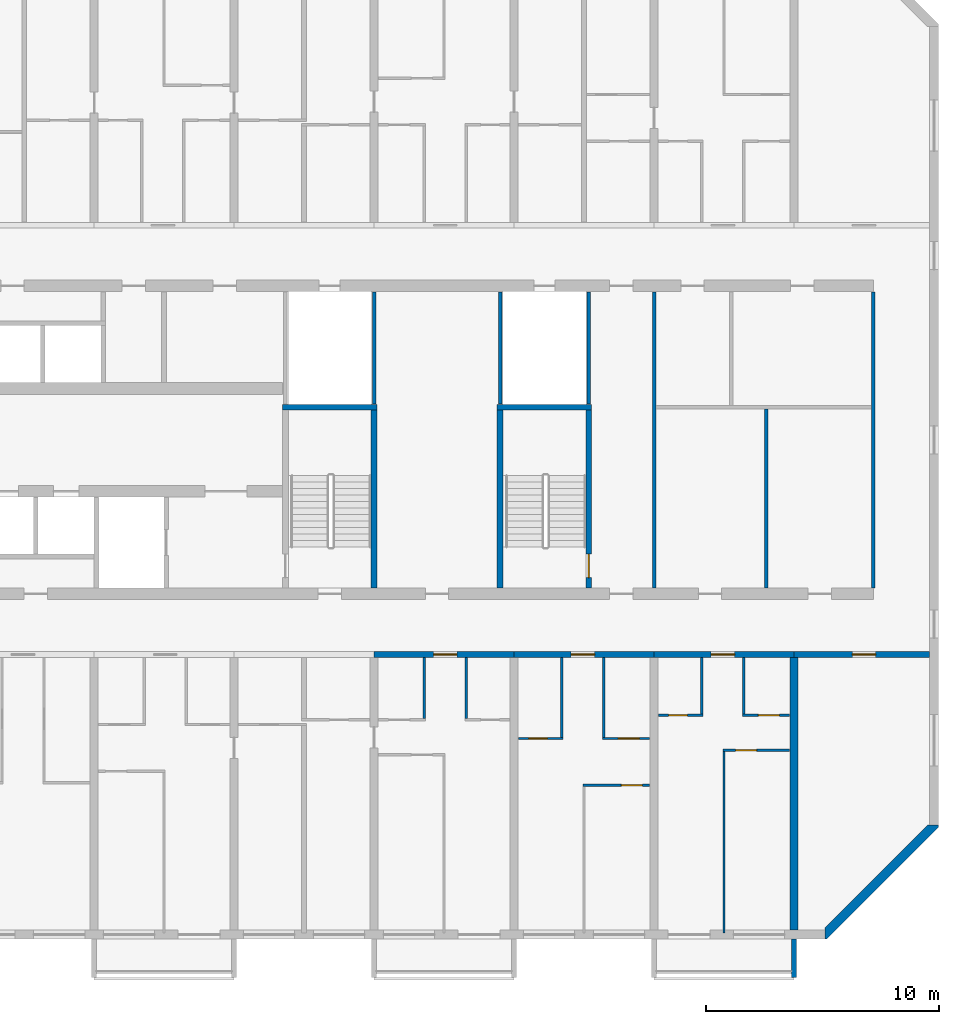
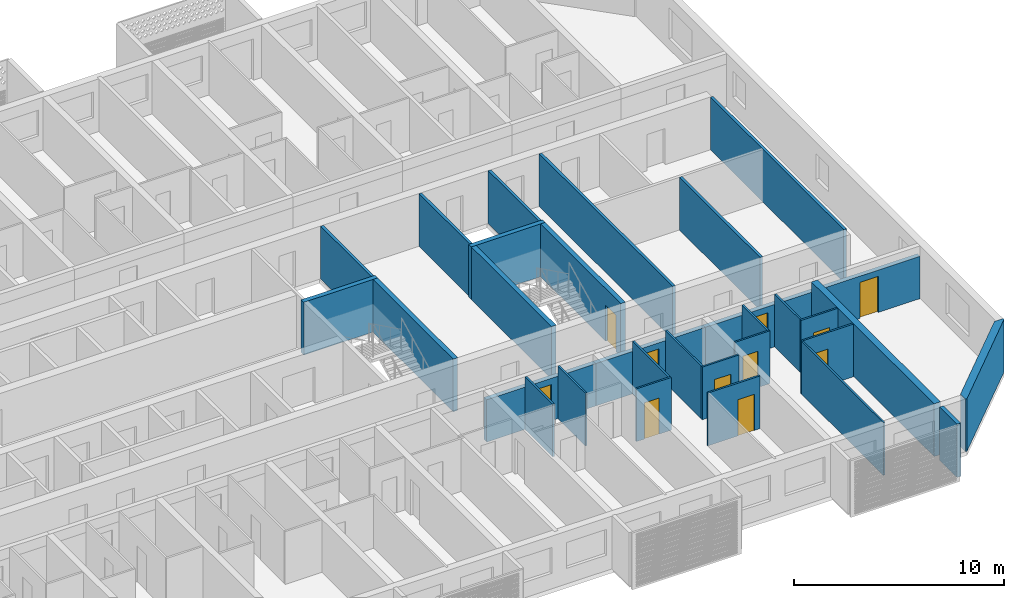
# One storey, part 14 of 29: 31 walls, 11 doors, 11 openings.
"""IFC4 building model written with IfcOpenShell, lengths in metres."""

from ifc_helpers import new_model, si_unit, direction, frame, frame_2d, origin, place, context, subcontext, project, spatial, polyline, rectangle, outline, extrude, source, transform, mapped, material, layer, layer_set, type_object, element, fill, save


model = new_model("IFC4")

# Units and contexts
model_context = context("Model", 3, precision=1e-05, world=origin(), true_north=direction((0.0, 1.0)))
body_context = subcontext(model_context, "Body", "Model", "MODEL_VIEW")
ifc_project = project(units=[si_unit("LENGTHUNIT", "METRE"), si_unit("AREAUNIT", "SQUARE_METRE"), si_unit("VOLUMEUNIT", "CUBIC_METRE"), si_unit("PLANEANGLEUNIT", "RADIAN"), si_unit("MASSUNIT", "GRAM", prefix="KILO")], contexts=[model_context])

# Site, building, storey
site_placement = place(None, origin())
site = spatial("IfcSite", under=ifc_project, at=site_placement, CompositionType="ELEMENT")
building_placement = place(site_placement, origin())
building = spatial("IfcBuilding", under=site, at=building_placement, Name="Poui Terraces", CompositionType="ELEMENT")
storey_placement = place(building_placement, frame((0.0, 0.0, 86.10009765625)))
storey = spatial("IfcBuildingStorey", under=building, at=storey_placement, Name="L23", CompositionType="ELEMENT", Elevation=86.10009765625)

# Walls
ifc_material_1 = material(Name="Fire-rated plasterboard wall")
ifc_layer_1 = layer(ifc_material_1, 0.14990234375)
ifc_layer_set_1 = layer_set([ifc_layer_1], Name="Fire-rated plasterboard wall")
wall_type_1 = type_object("IfcWallType", Name="CORRIDOR WALL 150", PredefinedType="PARTITIONING", material=ifc_layer_set_1)
for number, where, z_axis, x_axis, name in (
    (1, (84.0, 14.860107421875, 0.0), (0.0, 0.0, 1.0), (0.0, 1.0, 0.0), "CORRIDOR WALL 150"),
    (2, (93.39990234375, 14.860107421875, 0.0), (0.0, 0.0, 1.0), (0.0, 1.0, 0.0), "CORRIDOR WALL 150"),
):
    element("IfcWall", number, at=place(storey_placement, frame(where, z_axis=z_axis, x_axis=x_axis)), inside=storey, type_object=wall_type_1, Name=name, PredefinedType="PARTITIONING", context=body_context, shape_type="SweptSolid", body=[
        extrude(rectangle(XDim=12.679931640625, YDim=0.14990234375, at=frame_2d((6.33984375, 0.0))), origin(), (0.0, 0.0, 1.0), 3.059814453125),
    ])

# Wall, opening, door
ifc_material_2 = material(Name="Concrete 65 MPa", Category="concrete")
ifc_layer_2 = layer(ifc_material_2, 0.25)
ifc_layer_set_2 = layer_set([ifc_layer_2], Name="Concrete 65 MPa")
wall_type_2 = type_object("IfcWallType", Name="CORRIDOR WALL 250 65MPa", PredefinedType="SHEAR", material=ifc_layer_set_2)
wall_1_placement = place(storey_placement, frame((72.0, 12.0, 0.0), z_axis=(0.0, 0.0, 1.0), x_axis=(1.0, 0.0, 0.0)))
wall_1 = element("IfcWall", 3, at=wall_1_placement, inside=storey, type_object=wall_type_2, Name="CORRIDOR WALL LINE B BAY 12", PredefinedType="SHEAR", context=body_context, shape_type="SweptSolid", body=[
    extrude(rectangle(XDim=6.0, YDim=0.25, at=frame_2d((3.0, 0.0))), origin(), (0.0, 0.0, 1.0), 2.4599609375),
])
opening_1_placement = place(wall_1_placement, frame((2.550048828125, 0.0, 0.0)))
opening_1 = element("IfcOpeningElement", 4, at=opening_1_placement, cuts=wall_1, Name="Opening FD30S", PredefinedType="OPENING", context=body_context, shape_type="SweptSolid", body=[
    extrude(rectangle(XDim=1.0, YDim=2.10009765625, at=frame_2d((0.5, 1.050048828125))), frame((0.0, 0.135009765625, 0.0), z_axis=(0.0, -1.0, 0.0), x_axis=(1.0, 0.0, 0.0)), (0.0, 0.0, 1.0), 0.27001953125),
])
ifc_material_3 = material(Name="Steel fire door", Category="steel")
door_type_1 = type_object("IfcDoorType", Name="FLAT ENTRANCE DOOR 1000 X 2100", OperationType="NOTDEFINED", PredefinedType="DOOR", material=ifc_material_3)
door_1_placement = place(opening_1_placement, frame((1.0, 0.0, 0.0), z_axis=(0.0, 0.0, 1.0), x_axis=(-1.0, 0.0, 0.0)))
door_1 = element("IfcDoor", 5, at=door_1_placement, inside=storey, type_object=door_type_1, Name="FLAT ENTRANCE DOOR 125", OperationType="SINGLE_SWING_LEFT", OverallHeight=2.10009765625, OverallWidth=1.0, PredefinedType="DOOR", context=body_context, shape_type="SweptSolid", body=[
    extrude(rectangle(XDim=1.0, YDim=2.10009765625, at=frame_2d((0.5, 1.050048828125))), frame((0.0, 0.02490234375, 0.0), z_axis=(0.0, -1.0, 0.0), x_axis=(1.0, 0.0, 0.0)), (0.0, 0.0, 1.0), 0.050048828125),
])
fill(opening_1, door_1)

wall_2_placement = place(storey_placement, frame((78.0, 12.0, 0.0), z_axis=(0.0, 0.0, 1.0), x_axis=(1.0, 0.0, 0.0)))
wall_2 = element("IfcWall", 6, at=wall_2_placement, inside=storey, type_object=wall_type_2, Name="CORRIDOR WALL LINE B BAY 13", PredefinedType="SHEAR", context=body_context, shape_type="SweptSolid", body=[
    extrude(rectangle(XDim=6.0, YDim=0.25, at=frame_2d((3.0, 0.0))), origin(), (0.0, 0.0, 1.0), 2.4599609375),
])
opening_2_placement = place(wall_2_placement, frame((2.449951171875, 0.0, 0.0)))
opening_2 = element("IfcOpeningElement", 7, at=opening_2_placement, cuts=wall_2, Name="Opening FD30S", PredefinedType="OPENING", context=body_context, shape_type="SweptSolid", body=[
    extrude(rectangle(XDim=1.0, YDim=2.10009765625, at=frame_2d((0.5, 1.050048828125))), frame((0.0, 0.135009765625, 0.0), z_axis=(0.0, -1.0, 0.0), x_axis=(1.0, 0.0, 0.0)), (0.0, 0.0, 1.0), 0.27001953125),
])
door_2_placement = place(opening_2_placement, frame((1.0, 0.0, 0.0), z_axis=(0.0, 0.0, 1.0), x_axis=(-1.0, 0.0, 0.0)))
door_2 = element("IfcDoor", 8, at=door_2_placement, inside=storey, type_object=door_type_1, Name="FLAT ENTRANCE DOOR 128", OperationType="SINGLE_SWING_RIGHT", OverallHeight=2.10009765625, OverallWidth=1.0, PredefinedType="DOOR", context=body_context, shape_type="SweptSolid", body=[
    extrude(rectangle(XDim=1.0, YDim=2.10009765625, at=frame_2d((0.5, 1.050048828125))), frame((0.0, 0.02490234375, 0.0), z_axis=(0.0, -1.0, 0.0), x_axis=(1.0, 0.0, 0.0)), (0.0, 0.0, 1.0), 0.050048828125),
])
fill(opening_2, door_2)

wall_3_placement = place(storey_placement, frame((84.0, 12.0, 0.0), z_axis=(0.0, 0.0, 1.0), x_axis=(1.0, 0.0, 0.0)))
wall_3 = element("IfcWall", 9, at=wall_3_placement, inside=storey, type_object=wall_type_2, Name="CORRIDOR WALL LINE B BAY 14", PredefinedType="SHEAR", context=body_context, shape_type="SweptSolid", body=[
    extrude(rectangle(XDim=6.0, YDim=0.25, at=frame_2d((3.0, 0.0))), origin(), (0.0, 0.0, 1.0), 2.4599609375),
])
opening_3_placement = place(wall_3_placement, frame((2.449951171875, 0.0, 0.0)))
opening_3 = element("IfcOpeningElement", 10, at=opening_3_placement, cuts=wall_3, Name="Opening FD30S", PredefinedType="OPENING", context=body_context, shape_type="SweptSolid", body=[
    extrude(rectangle(XDim=1.0, YDim=2.10009765625, at=frame_2d((0.5, 1.050048828125))), frame((0.0, 0.135009765625, 0.0), z_axis=(0.0, -1.0, 0.0), x_axis=(1.0, 0.0, 0.0)), (0.0, 0.0, 1.0), 0.27001953125),
])
door_3_placement = place(opening_3_placement, frame((1.0, 0.0, 0.0), z_axis=(0.0, 0.0, 1.0), x_axis=(-1.0, 0.0, 0.0)))
door_3 = element("IfcDoor", 11, at=door_3_placement, inside=storey, type_object=door_type_1, Name="FLAT ENTRANCE DOOR 132", OperationType="SINGLE_SWING_RIGHT", OverallHeight=2.10009765625, OverallWidth=1.0, PredefinedType="DOOR", context=body_context, shape_type="SweptSolid", body=[
    extrude(rectangle(XDim=1.0, YDim=2.10009765625, at=frame_2d((0.5, 1.050048828125))), frame((0.0, 0.02490234375, 0.0), z_axis=(0.0, -1.0, 0.0), x_axis=(1.0, 0.0, 0.0)), (0.0, 0.0, 1.0), 0.050048828125),
])
fill(opening_3, door_3)

wall_4_placement = place(storey_placement, frame((90.0, 12.0, 0.0), z_axis=(0.0, 0.0, 1.0), x_axis=(1.0, 0.0, 0.0)))
wall_4 = element("IfcWall", 12, at=wall_4_placement, inside=storey, type_object=wall_type_2, Name="CORRIDOR WALL LINE B BAY 15", PredefinedType="SHEAR", context=body_context, shape_type="SweptSolid", body=[
    extrude(rectangle(XDim=5.800048828125, YDim=0.25, at=frame_2d((2.89990234375, 0.0))), origin(), (0.0, 0.0, 1.0), 2.4599609375),
])
opening_4_placement = place(wall_4_placement, frame((2.5, 0.0, 0.0)))
opening_4 = element("IfcOpeningElement", 13, at=opening_4_placement, cuts=wall_4, Name="Opening D100", PredefinedType="OPENING", context=body_context, shape_type="SweptSolid", body=[
    extrude(rectangle(XDim=1.0, YDim=2.10009765625, at=frame_2d((0.5, 1.050048828125))), frame((0.0, 0.135009765625, 0.0), z_axis=(0.0, -1.0, 0.0), x_axis=(1.0, 0.0, 0.0)), (0.0, 0.0, 1.0), 0.27001953125),
])
ifc_material_4 = material(Name="Solid core timber door", Category="wood")
door_type_2 = type_object("IfcDoorType", Name="ACCESSIBLE INTERNAL DOOR 1000 X 2100", OperationType="NOTDEFINED", PredefinedType="DOOR", material=ifc_material_4)
door_4_placement = place(opening_4_placement, frame((1.0, 0.0, 0.0), z_axis=(0.0, 0.0, 1.0), x_axis=(-1.0, 0.0, 0.0)))
door_4 = element("IfcDoor", 14, at=door_4_placement, inside=storey, type_object=door_type_2, Name="ACCESSIBLE INTERNAL DOOR 135", OperationType="SINGLE_SWING_RIGHT", OverallHeight=2.10009765625, OverallWidth=1.0, PredefinedType="DOOR", context=body_context, shape_type="SweptSolid", body=[
    extrude(rectangle(XDim=1.0, YDim=2.10009765625, at=frame_2d((0.5, 1.050048828125))), frame((0.0, 0.02490234375, 0.0), z_axis=(0.0, -1.0, 0.0), x_axis=(1.0, 0.0, 0.0)), (0.0, 0.0, 1.0), 0.050048828125),
])
fill(opening_4, door_4)

# Wall
ifc_layer_3 = layer(ifc_material_2, 0.35009765625)
ifc_layer_set_3 = layer_set([ifc_layer_3], Name="Concrete 65 MPa")
wall_type_3 = type_object("IfcWallType", Name="CROSS WALL 350 65MPa", PredefinedType="SHEAR", material=ifc_layer_set_3)
wall_5_placement = place(storey_placement, frame((90.0, 0.199951171875, 0.0), z_axis=(0.0, 0.0, 1.0), x_axis=(0.0, 1.0, 0.0)))
element("IfcWall", 15, at=wall_5_placement, inside=storey, type_object=wall_type_3, Name="CROSS WALL LINE 16 SOUTH", PredefinedType="SHEAR", context=body_context, shape_type="SweptSolid", body=[
    extrude(rectangle(XDim=11.675048828125, YDim=0.35009765625, at=frame_2d((5.83740234375, 0.0))), origin(), (0.0, 0.0, 1.0), 3.059814453125),
])

# Wall, opening, door
ifc_material_5 = material(Name="Plasterboard partition")
ifc_layer_4 = layer(ifc_material_5, 0.10009765625)
ifc_layer_set_4 = layer_set([ifc_layer_4], Name="Plasterboard partition")
wall_type_4 = type_object("IfcWallType", Name="FLAT PARTITION 100", PredefinedType="PARTITIONING", material=ifc_layer_set_4)
wall_6_placement = place(storey_placement, frame((80.949951171875, 6.39990234375, 0.0), z_axis=(0.0, 0.0, 1.0), x_axis=(1.0, 0.0, 0.0)))
wall_6 = element("IfcWall", 16, at=wall_6_placement, inside=storey, type_object=wall_type_4, Name="FLAT PARTITION 100", PredefinedType="PARTITIONING", context=body_context, shape_type="SweptSolid", body=[
    extrude(rectangle(XDim=2.864990234375, YDim=0.10009765625, at=frame_2d((1.4326171875, 0.0))), origin(), (0.0, 0.0, 1.0), 3.059814453125),
])
opening_5_placement = place(wall_6_placement, frame((1.64990234375, 0.0, 0.0)))
opening_5 = element("IfcOpeningElement", 17, at=opening_5_placement, cuts=wall_6, Name="Opening D90", PredefinedType="OPENING", context=body_context, shape_type="SweptSolid", body=[
    extrude(rectangle(XDim=0.89990234375, YDim=2.10009765625, at=frame_2d((0.449951171875, 1.050048828125))), frame((0.0, 0.06005859375, 0.0), z_axis=(0.0, -1.0, 0.0), x_axis=(1.0, 0.0, 0.0)), (0.0, 0.0, 1.0), 0.1201171875),
])
door_type_3 = type_object("IfcDoorType", Name="INTERNAL DOOR 900 X 2100", OperationType="NOTDEFINED", PredefinedType="DOOR", material=ifc_material_4)
door_5_placement = place(opening_5_placement, origin())
door_5 = element("IfcDoor", 18, at=door_5_placement, inside=storey, type_object=door_type_3, Name="INTERNAL DOOR 130", OperationType="SINGLE_SWING_LEFT", OverallHeight=2.10009765625, OverallWidth=0.89990234375, PredefinedType="DOOR", context=body_context, shape_type="SweptSolid", body=[
    extrude(rectangle(XDim=0.89990234375, YDim=2.10009765625, at=frame_2d((0.449951171875, 1.050048828125))), frame((0.0, 0.02490234375, 0.0), z_axis=(0.0, -1.0, 0.0), x_axis=(1.0, 0.0, 0.0)), (0.0, 0.0, 1.0), 0.050048828125),
])
fill(opening_5, door_5)

wall_7_placement = place(storey_placement, frame((86.949951171875, 7.89990234375, 0.0), z_axis=(0.0, 0.0, 1.0), x_axis=(1.0, 0.0, 0.0)))
wall_7 = element("IfcWall", 19, at=wall_7_placement, inside=storey, type_object=wall_type_4, Name="FLAT PARTITION 100", PredefinedType="PARTITIONING", context=body_context, shape_type="SweptSolid", body=[
    extrude(rectangle(XDim=2.864990234375, YDim=0.10009765625, at=frame_2d((1.4326171875, 0.0))), origin(), (0.0, 0.0, 1.0), 3.059814453125),
])
opening_6_placement = place(wall_7_placement, frame((0.550048828125, 0.0, 0.0)))
opening_6 = element("IfcOpeningElement", 20, at=opening_6_placement, cuts=wall_7, Name="Opening D90", PredefinedType="OPENING", context=body_context, shape_type="SweptSolid", body=[
    extrude(rectangle(XDim=0.89990234375, YDim=2.10009765625, at=frame_2d((0.449951171875, 1.050048828125))), frame((0.0, 0.06005859375, 0.0), z_axis=(0.0, -1.0, 0.0), x_axis=(1.0, 0.0, 0.0)), (0.0, 0.0, 1.0), 0.1201171875),
])
door_6_placement = place(opening_6_placement, origin())
door_6 = element("IfcDoor", 21, at=door_6_placement, inside=storey, type_object=door_type_3, Name="INTERNAL DOOR 133", OperationType="SINGLE_SWING_RIGHT", OverallHeight=2.10009765625, OverallWidth=0.89990234375, PredefinedType="DOOR", context=body_context, shape_type="SweptSolid", body=[
    extrude(rectangle(XDim=0.89990234375, YDim=2.10009765625, at=frame_2d((0.449951171875, 1.050048828125))), frame((0.0, 0.02490234375, 0.0), z_axis=(0.0, -1.0, 0.0), x_axis=(1.0, 0.0, 0.0)), (0.0, 0.0, 1.0), 0.050048828125),
])
fill(opening_6, door_6)

wall_8_placement = place(storey_placement, frame((78.18505859375, 8.39990234375, 0.0), z_axis=(0.0, 0.0, 1.0), x_axis=(1.0, 0.0, 0.0)))
wall_8 = element("IfcWall", 22, at=wall_8_placement, inside=storey, type_object=wall_type_4, Name="FLAT PARTITION 100", PredefinedType="PARTITIONING", context=body_context, shape_type="SweptSolid", body=[
    extrude(rectangle(XDim=1.9150390625, YDim=0.10009765625, at=frame_2d((0.95751953125, 0.0))), origin(), (0.0, 0.0, 1.0), 3.059814453125),
])
opening_7_placement = place(wall_8_placement, frame((0.43994140625, 0.0, 0.0)))
opening_7 = element("IfcOpeningElement", 23, at=opening_7_placement, cuts=wall_8, Name="Opening D80", PredefinedType="OPENING", context=body_context, shape_type="SweptSolid", body=[
    extrude(rectangle(XDim=0.800048828125, YDim=2.10009765625, at=frame_2d((0.39990234375, 1.050048828125))), frame((0.0, 0.06005859375, 0.0), z_axis=(0.0, -1.0, 0.0), x_axis=(1.0, 0.0, 0.0)), (0.0, 0.0, 1.0), 0.1201171875),
])
door_type_4 = type_object("IfcDoorType", Name="BATHROOM, LAUNDRY AND STORE DOOR 800 X 2100", OperationType="NOTDEFINED", PredefinedType="DOOR", material=ifc_material_4)
door_7_placement = place(opening_7_placement, origin())
door_7 = element("IfcDoor", 24, at=door_7_placement, inside=storey, type_object=door_type_4, Name="BATHROOM, LAUNDRY AND STORE DOOR 127", OperationType="SINGLE_SWING_LEFT", OverallHeight=2.10009765625, OverallWidth=0.800048828125, PredefinedType="DOOR", context=body_context, shape_type="SweptSolid", body=[
    extrude(rectangle(XDim=0.800048828125, YDim=2.10009765625, at=frame_2d((0.39990234375, 1.050048828125))), frame((0.0, 0.02490234375, 0.0), z_axis=(0.0, -1.0, 0.0), x_axis=(1.0, 0.0, 0.0)), (0.0, 0.0, 1.0), 0.050048828125),
])
fill(opening_7, door_7)

wall_9_placement = place(storey_placement, frame((81.800048828125, 8.39990234375, 0.0), z_axis=(0.0, 0.0, 1.0), x_axis=(1.0, 0.0, 0.0)))
wall_9 = element("IfcWall", 25, at=wall_9_placement, inside=storey, type_object=wall_type_4, Name="FLAT PARTITION 100", PredefinedType="PARTITIONING", context=body_context, shape_type="SweptSolid", body=[
    extrude(rectangle(XDim=2.014892578125, YDim=0.10009765625, at=frame_2d((1.00732421875, 0.0))), origin(), (0.0, 0.0, 1.0), 3.059814453125),
])
opening_8_placement = place(wall_9_placement, frame((0.675048828125, 0.0, 0.0)))
opening_8 = element("IfcOpeningElement", 26, at=opening_8_placement, cuts=wall_9, Name="Opening D90", PredefinedType="OPENING", context=body_context, shape_type="SweptSolid", body=[
    extrude(rectangle(XDim=0.89990234375, YDim=2.10009765625, at=frame_2d((0.449951171875, 1.050048828125))), frame((0.0, 0.06005859375, 0.0), z_axis=(0.0, -1.0, 0.0), x_axis=(1.0, 0.0, 0.0)), (0.0, 0.0, 1.0), 0.1201171875),
])
door_8_placement = place(opening_8_placement, origin())
door_8 = element("IfcDoor", 27, at=door_8_placement, inside=storey, type_object=door_type_3, Name="INTERNAL DOOR 129", OperationType="SINGLE_SWING_RIGHT", OverallHeight=2.10009765625, OverallWidth=0.89990234375, PredefinedType="DOOR", context=body_context, shape_type="SweptSolid", body=[
    extrude(rectangle(XDim=0.89990234375, YDim=2.10009765625, at=frame_2d((0.449951171875, 1.050048828125))), frame((0.0, 0.02490234375, 0.0), z_axis=(0.0, -1.0, 0.0), x_axis=(1.0, 0.0, 0.0)), (0.0, 0.0, 1.0), 0.050048828125),
])
fill(opening_8, door_8)

wall_10_placement = place(storey_placement, frame((84.18505859375, 9.39990234375, 0.0), z_axis=(0.0, 0.0, 1.0), x_axis=(1.0, 0.0, 0.0)))
wall_10 = element("IfcWall", 28, at=wall_10_placement, inside=storey, type_object=wall_type_4, Name="FLAT PARTITION 100", PredefinedType="PARTITIONING", context=body_context, shape_type="SweptSolid", body=[
    extrude(rectangle(XDim=1.9150390625, YDim=0.10009765625, at=frame_2d((0.95751953125, 0.0))), origin(), (0.0, 0.0, 1.0), 3.059814453125),
])
opening_9_placement = place(wall_10_placement, frame((0.43994140625, 0.0, 0.0)))
opening_9 = element("IfcOpeningElement", 29, at=opening_9_placement, cuts=wall_10, Name="Opening D80", PredefinedType="OPENING", context=body_context, shape_type="SweptSolid", body=[
    extrude(rectangle(XDim=0.800048828125, YDim=2.10009765625, at=frame_2d((0.39990234375, 1.050048828125))), frame((0.0, 0.06005859375, 0.0), z_axis=(0.0, -1.0, 0.0), x_axis=(1.0, 0.0, 0.0)), (0.0, 0.0, 1.0), 0.1201171875),
])
door_9_placement = place(opening_9_placement, origin())
door_9 = element("IfcDoor", 30, at=door_9_placement, inside=storey, type_object=door_type_4, Name="BATHROOM, LAUNDRY AND STORE DOOR 131", OperationType="SINGLE_SWING_RIGHT", OverallHeight=2.10009765625, OverallWidth=0.800048828125, PredefinedType="DOOR", context=body_context, shape_type="SweptSolid", body=[
    extrude(rectangle(XDim=0.800048828125, YDim=2.10009765625, at=frame_2d((0.39990234375, 1.050048828125))), frame((0.0, 0.02490234375, 0.0), z_axis=(0.0, -1.0, 0.0), x_axis=(1.0, 0.0, 0.0)), (0.0, 0.0, 1.0), 0.050048828125),
])
fill(opening_9, door_9)

wall_11_placement = place(storey_placement, frame((87.800048828125, 9.39990234375, 0.0), z_axis=(0.0, 0.0, 1.0), x_axis=(1.0, 0.0, 0.0)))
wall_11 = element("IfcWall", 31, at=wall_11_placement, inside=storey, type_object=wall_type_4, Name="FLAT PARTITION 100", PredefinedType="PARTITIONING", context=body_context, shape_type="SweptSolid", body=[
    extrude(rectangle(XDim=2.014892578125, YDim=0.10009765625, at=frame_2d((1.00732421875, 0.0))), origin(), (0.0, 0.0, 1.0), 3.059814453125),
])
opening_10_placement = place(wall_11_placement, frame((0.675048828125, 0.0, 0.0)))
opening_10 = element("IfcOpeningElement", 32, at=opening_10_placement, cuts=wall_11, Name="Opening D90", PredefinedType="OPENING", context=body_context, shape_type="SweptSolid", body=[
    extrude(rectangle(XDim=0.89990234375, YDim=2.10009765625, at=frame_2d((0.449951171875, 1.050048828125))), frame((0.0, 0.06005859375, 0.0), z_axis=(0.0, -1.0, 0.0), x_axis=(1.0, 0.0, 0.0)), (0.0, 0.0, 1.0), 0.1201171875),
])
door_10_placement = place(opening_10_placement, origin())
door_10 = element("IfcDoor", 33, at=door_10_placement, inside=storey, type_object=door_type_3, Name="INTERNAL DOOR 134", OperationType="SINGLE_SWING_LEFT", OverallHeight=2.10009765625, OverallWidth=0.89990234375, PredefinedType="DOOR", context=body_context, shape_type="SweptSolid", body=[
    extrude(rectangle(XDim=0.89990234375, YDim=2.10009765625, at=frame_2d((0.449951171875, 1.050048828125))), frame((0.0, 0.02490234375, 0.0), z_axis=(0.0, -1.0, 0.0), x_axis=(1.0, 0.0, 0.0)), (0.0, 0.0, 1.0), 0.050048828125),
])
fill(opening_10, door_10)

# Walls
for number, where, z_axis, x_axis, name in (
    (34, (74.14990234375, 9.25, 0.0), (0.0, 0.0, 1.0), (0.0, 1.0, 0.0), "FLAT PARTITION 100"),
    (35, (75.949951171875, 9.25, 0.0), (0.0, 0.0, 1.0), (0.0, 1.0, 0.0), "FLAT PARTITION 100"),
):
    element("IfcWall", number, at=place(storey_placement, frame(where, z_axis=z_axis, x_axis=x_axis)), inside=storey, type_object=wall_type_4, Name=name, PredefinedType="PARTITIONING", context=body_context, shape_type="SweptSolid", body=[
        extrude(rectangle(XDim=2.614990234375, YDim=0.10009765625, at=frame_2d((1.3076171875, 0.0))), origin(), (0.0, 0.0, 1.0), 3.059814453125),
    ])
for number, where, z_axis, x_axis, name in (
    (36, (80.050048828125, 8.449951171875, 0.0), (0.0, 0.0, 1.0), (0.0, 1.0, 0.0), "FLAT PARTITION 100"),
    (37, (81.85009765625, 8.449951171875, 0.0), (0.0, 0.0, 1.0), (0.0, 1.0, 0.0), "FLAT PARTITION 100"),
):
    element("IfcWall", number, at=place(storey_placement, frame(where, z_axis=z_axis, x_axis=x_axis)), inside=storey, type_object=wall_type_4, Name=name, PredefinedType="PARTITIONING", context=body_context, shape_type="SweptSolid", body=[
        extrude(rectangle(XDim=3.4150390625, YDim=0.10009765625, at=frame_2d((1.70751953125, 0.0))), origin(), (0.0, 0.0, 1.0), 3.059814453125),
    ])
wall_12_placement = place(storey_placement, frame((86.050048828125, 9.449951171875, 0.0), z_axis=(0.0, 0.0, 1.0), x_axis=(0.0, 1.0, 0.0)))
element("IfcWall", 38, at=wall_12_placement, inside=storey, type_object=wall_type_4, Name="FLAT PARTITION 100", PredefinedType="PARTITIONING", context=body_context, shape_type="SweptSolid", body=[
    extrude(rectangle(XDim=2.4150390625, YDim=0.10009765625, at=frame_2d((1.20751953125, 0.0))), origin(), (0.0, 0.0, 1.0), 3.059814453125),
])
wall_13_placement = place(storey_placement, frame((87.0, 0.06005859375, 0.0), z_axis=(0.0, 0.0, 1.0), x_axis=(0.0, 1.0, 0.0)))
element("IfcWall", 39, at=wall_13_placement, inside=storey, type_object=wall_type_4, Name="FLAT PARTITION 100", PredefinedType="PARTITIONING", context=body_context, shape_type="SweptSolid", body=[
    extrude(rectangle(XDim=7.7900390625, YDim=0.10009765625, at=frame_2d((3.89501953125, 0.0))), origin(), (0.0, 0.0, 1.0), 3.059814453125),
])
wall_14_placement = place(storey_placement, frame((87.85009765625, 9.449951171875, 0.0), z_axis=(0.0, 0.0, 1.0), x_axis=(0.0, 1.0, 0.0)))
element("IfcWall", 40, at=wall_14_placement, inside=storey, type_object=wall_type_4, Name="FLAT PARTITION 100", PredefinedType="PARTITIONING", context=body_context, shape_type="SweptSolid", body=[
    extrude(rectangle(XDim=2.4150390625, YDim=0.10009765625, at=frame_2d((1.20751953125, 0.0))), origin(), (0.0, 0.0, 1.0), 3.059814453125),
])
ifc_layer_5 = layer(ifc_material_5, 0.14990234375)
ifc_layer_set_5 = layer_set([ifc_layer_5], Name="Plasterboard partition")
wall_type_5 = type_object("IfcWallType", Name="PARTITION WALL 150", PredefinedType="PARTITIONING", material=ifc_layer_set_5)
wall_15_placement = place(storey_placement, frame((88.800048828125, 14.860107421875, 0.0), z_axis=(0.0, 0.0, 1.0), x_axis=(0.0, 1.0, 0.0)))
element("IfcWall", 41, at=wall_15_placement, inside=storey, type_object=wall_type_5, Name="PARTITION WALL 150", PredefinedType="PARTITIONING", context=body_context, shape_type="SweptSolid", body=[
    extrude(rectangle(XDim=7.664794921875, YDim=0.14990234375, at=frame_2d((3.83251953125, 0.0))), origin(), (0.0, 0.0, 1.0), 3.059814453125),
])
ifc_material_6 = material(Name="Fire-rated plasterboard riser wall")
ifc_layer_6 = layer(ifc_material_6, 0.14990234375)
ifc_layer_set_6 = layer_set([ifc_layer_6], Name="Fire-rated plasterboard riser wall")
wall_type_6 = type_object("IfcWallType", Name="RISER WALL 150", PredefinedType="PARTITIONING", material=ifc_layer_set_6)
for number, where, z_axis, x_axis, name in (
    (42, (72.0, 22.735107421875, 0.0), (0.0, 0.0, 1.0), (0.0, 1.0, 0.0), "RISER WALL 150"),
    (43, (77.39990234375, 22.735107421875, 0.0), (0.0, 0.0, 1.0), (0.0, 1.0, 0.0), "RISER WALL 150"),
    (44, (81.199951171875, 22.735107421875, 0.0), (0.0, 0.0, 1.0), (0.0, 1.0, 0.0), "RISER WALL 150"),
):
    element("IfcWall", number, at=place(storey_placement, frame(where, z_axis=z_axis, x_axis=x_axis)), inside=storey, type_object=wall_type_6, Name=name, PredefinedType="PARTITIONING", context=body_context, shape_type="SweptSolid", body=[
        extrude(rectangle(XDim=4.804931640625, YDim=0.14990234375, at=frame_2d((2.40234375, 0.0))), origin(), (0.0, 0.0, 1.0), 3.059814453125),
    ])
ifc_layer_7 = layer(ifc_material_2, 0.25)
ifc_layer_set_7 = layer_set([ifc_layer_7], Name="Concrete 65 MPa")
wall_type_7 = type_object("IfcWallType", Name="STAIR CORE WALL 250 65 MPA", PredefinedType="SOLIDWALL", material=ifc_layer_set_7)
wall_16_placement = place(storey_placement, frame((72.0, 14.85009765625, 0.0), z_axis=(0.0, 0.0, 1.0), x_axis=(0.0, 1.0, 0.0)))
element("IfcWall", 45, at=wall_16_placement, inside=storey, type_object=wall_type_7, Name="STAIR CORE WALL", PredefinedType="SOLIDWALL", context=body_context, shape_type="SweptSolid", body=[
    extrude(rectangle(XDim=7.625, YDim=0.25, at=frame_2d((3.8125, 0.0))), origin(), (0.0, 0.0, 1.0), 3.059814453125),
])
wall_17_placement = place(storey_placement, frame((68.074951171875, 22.60009765625, 0.0), z_axis=(0.0, 0.0, 1.0), x_axis=(1.0, 0.0, 0.0)))
element("IfcWall", 46, at=wall_17_placement, inside=storey, type_object=wall_type_7, Name="STAIR CORE WALL", PredefinedType="SOLIDWALL", context=body_context, shape_type="SweptSolid", body=[
    extrude(rectangle(XDim=4.050048828125, YDim=0.25, at=frame_2d((2.02490234375, 0.0))), origin(), (0.0, 0.0, 1.0), 3.059814453125),
])
wall_18_placement = place(storey_placement, frame((77.39990234375, 14.85009765625, 0.0), z_axis=(0.0, 0.0, 1.0), x_axis=(0.0, 1.0, 0.0)))
element("IfcWall", 47, at=wall_18_placement, inside=storey, type_object=wall_type_7, Name="STAIR CORE WALL", PredefinedType="SOLIDWALL", context=body_context, shape_type="SweptSolid", body=[
    extrude(rectangle(XDim=7.625, YDim=0.25, at=frame_2d((3.8125, 0.0))), origin(), (0.0, 0.0, 1.0), 3.059814453125),
])

# Wall, opening, door
wall_19_placement = place(storey_placement, frame((81.199951171875, 14.85009765625, 0.0), z_axis=(0.0, 0.0, 1.0), x_axis=(0.0, 1.0, 0.0)))
wall_19 = element("IfcWall", 48, at=wall_19_placement, inside=storey, type_object=wall_type_7, Name="STAIR CORE WALL", PredefinedType="SOLIDWALL", context=body_context, shape_type="SweptSolid", body=[
    extrude(rectangle(XDim=7.625, YDim=0.25, at=frame_2d((3.8125, 0.0))), origin(), (0.0, 0.0, 1.0), 3.059814453125),
])
opening_11_placement = place(wall_19_placement, frame((0.449951171875, 0.0, 0.0)))
opening_11 = element("IfcOpeningElement", 49, at=opening_11_placement, cuts=wall_19, Name="Opening FD60S", PredefinedType="OPENING", context=body_context, shape_type="SweptSolid", body=[
    extrude(rectangle(XDim=1.0, YDim=2.10009765625, at=frame_2d((0.5, 1.050048828125))), frame((0.0, 0.135009765625, 0.0), z_axis=(0.0, -1.0, 0.0), x_axis=(1.0, 0.0, 0.0)), (0.0, 0.0, 1.0), 0.27001953125),
])
door_type_5 = type_object("IfcDoorType", Name="STAIR DOOR 1000 X 2100", OperationType="NOTDEFINED", PredefinedType="DOOR", material=ifc_material_3)
door_11_placement = place(opening_11_placement, origin())
door_11 = element("IfcDoor", 50, at=door_11_placement, inside=storey, type_object=door_type_5, Name="STAIR DOOR 151", OperationType="SINGLE_SWING_LEFT", OverallHeight=2.10009765625, OverallWidth=1.0, PredefinedType="DOOR", context=body_context, shape_type="SweptSolid", body=[
    extrude(rectangle(XDim=1.0, YDim=2.10009765625, at=frame_2d((0.5, 1.050048828125))), frame((0.0, 0.02490234375, 0.0), z_axis=(0.0, -1.0, 0.0), x_axis=(1.0, 0.0, 0.0)), (0.0, 0.0, 1.0), 0.050048828125),
])
fill(opening_11, door_11)

# Walls
wall_20_placement = place(storey_placement, frame((77.27490234375, 22.60009765625, 0.0), z_axis=(0.0, 0.0, 1.0), x_axis=(1.0, 0.0, 0.0)))
element("IfcWall", 51, at=wall_20_placement, inside=storey, type_object=wall_type_7, Name="STAIR CORE WALL", PredefinedType="SOLIDWALL", context=body_context, shape_type="SweptSolid", body=[
    extrude(rectangle(XDim=4.050048828125, YDim=0.25, at=frame_2d((2.02490234375, 0.0))), origin(), (0.0, 0.0, 1.0), 3.059814453125),
])
ifc_material_7 = material(Name="Precast concrete 40 MPa", Category="concrete")
ifc_layer_8 = layer(ifc_material_7, 0.39990234375)
ifc_layer_set_8 = layer_set([ifc_layer_8], Name="Precast concrete 40 MPa")
wall_type_8 = type_object("IfcWallType", Name="TERRACOTTA CLAD CHAMFER WALL 400", PredefinedType="STANDARD", material=ifc_layer_set_8)
wall_21_placement = place(storey_placement, origin())
element("IfcWall", 52, at=wall_21_placement, inside=storey, type_object=wall_type_8, Name="CHAMFER WALL CH01", PredefinedType="STANDARD", context=body_context, shape_type="SweptSolid", body=[
    extrude(outline(polyline([(91.317138671875, -0.199951171875), (91.39990234375, -0.199951171875), (96.199951171875, 4.60009765625), (96.199951171875, 4.682861328125), (95.71728515625, 4.682861328125), (91.317138671875, 0.28271484375), (91.317138671875, -0.199951171875)])), origin(), (0.0, 0.0, 1.0), 3.059814453125),
])
ifc_layer_9 = layer(ifc_material_7, 0.199951171875)
ifc_layer_set_9 = layer_set([ifc_layer_9], Name="Precast concrete 40 MPa")
wall_type_9 = type_object("IfcWallType", Name="REAR FIN 200", PredefinedType="STANDARD", material=ifc_layer_set_9)
shared_shape = source(origin(), body_context, "Body", "SweptSolid", [
    extrude(outline(polyline([(0.0, 0.0), (0.2001953125, 0.0), (0.2001953125, 1.650146484375), (0.0, 1.650146484375), (0.0, 0.0)])), origin(), (0.0, 0.0, 1.0), 3.099853515625),
])
wall_22_placement = place(storey_placement, frame((89.89990234375, -1.85009765625, 0.0)))
element("IfcWall", 53, at=wall_22_placement, inside=storey, type_object=wall_type_9, Name="REAR FIN", PredefinedType="STANDARD", context=body_context, shape_type="MappedRepresentation", body=[
    mapped(shared_shape, transform((0.0, 0.0, 0.0))),
])

save(model, "model.ifc")
